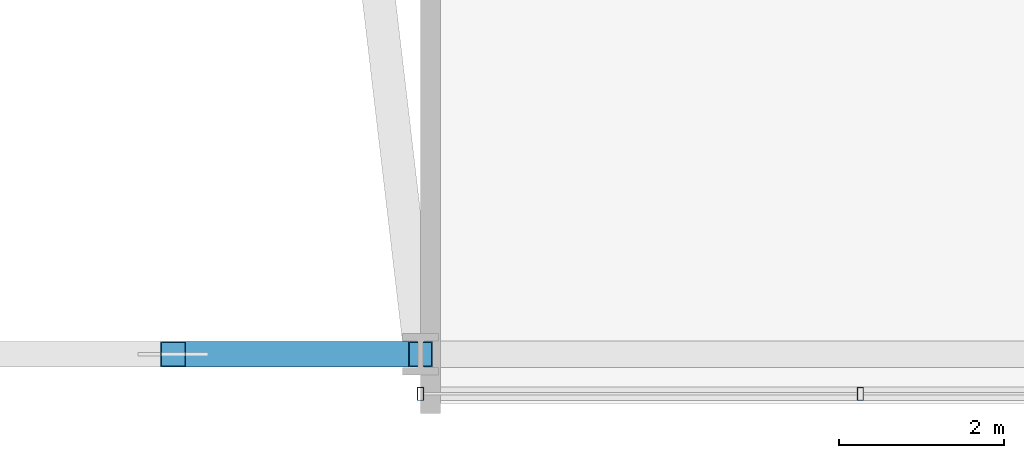
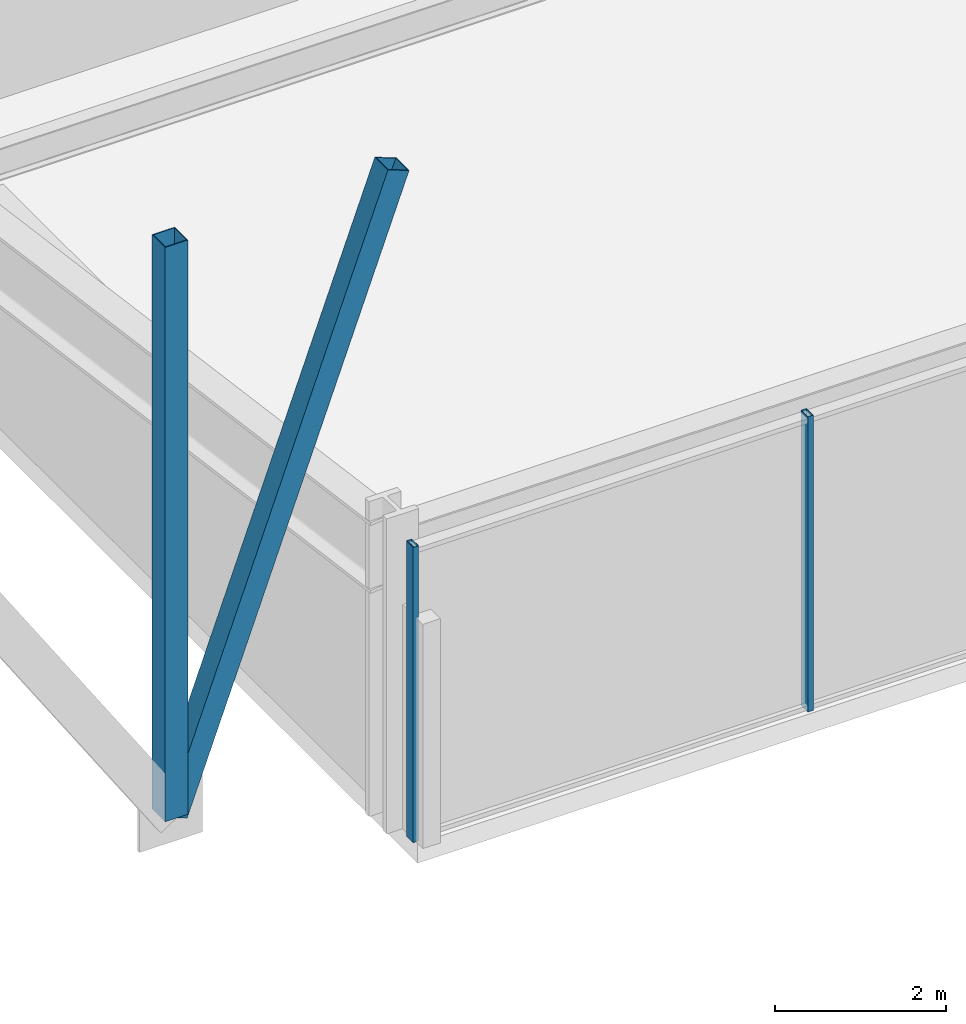
# One storey, part 14 of 47: 4 members, 1 element without a shape of its own.
"""IFC4 building model written with IfcOpenShell, lengths in metres."""

from ifc_helpers import new_model, si_unit, direction, frame, origin, origin_2d, place, context, subcontext, project, spatial, hollow_rectangle, extrude, material, material_profile, profile_set, type_object, element, aggregate, save


model = new_model("IFC4")

# Units and contexts
model_context = context("Model", 3, precision=1e-05, world=origin(), true_north=direction((0.0, 1.0)))
body_context = subcontext(model_context, "Body", "Model", "MODEL_VIEW")
ifc_project = project(units=[si_unit("LENGTHUNIT", "METRE"), si_unit("AREAUNIT", "SQUARE_METRE"), si_unit("VOLUMEUNIT", "CUBIC_METRE"), si_unit("PLANEANGLEUNIT", "RADIAN"), si_unit("MASSUNIT", "GRAM", prefix="KILO")], contexts=[model_context])

# Site, building, storey
site_placement = place(None, origin())
site = spatial("IfcSite", under=ifc_project, at=site_placement, CompositionType="ELEMENT")
building_placement = place(site_placement, origin())
building = spatial("IfcBuilding", under=site, at=building_placement, Name="Kolvaren Belvedere", CompositionType="ELEMENT")
storey_placement = place(building_placement, frame((0.0, 0.0, 5.5)))
storey = spatial("IfcBuildingStorey", under=building, at=storey_placement, Name="L02", CompositionType="ELEMENT", Elevation=5.5)

# Curtain wall, members
ifc_material_1 = material(Name="Anodised pale-metal aluminium AA 6063-T6", Category="aluminium")
curtain_wall_type = type_object("IfcCurtainWallType", Name="CW-POD-A", PredefinedType="NOTDEFINED", material=ifc_material_1)
curtain_wall_placement = place(storey_placement, origin())
curtain_wall = element("IfcCurtainWall", 1, at=curtain_wall_placement, inside=storey, type_object=curtain_wall_type, Name="L02 Unitised Curtain Wall FCW-L02-SEG5", PredefinedType="NOTDEFINED")
ifc_material_2 = material(Name="Anodised pale-metal aluminium AA 6063-T6", Category="aluminium")
ifc_material_profile_1 = material_profile(ifc_material_2, hollow_rectangle(XDim=0.074951171875, YDim=0.159912109375, WallThickness=0.00439453125, at=origin_2d()), Name="ALU-MUL-160X75")
ifc_profile_set_1 = profile_set([ifc_material_profile_1], Name="Anodised pale-metal aluminium AA 6063-T6")
member_type_1 = type_object("IfcMemberType", Name="CW-MUL-160", PredefinedType="MULLION", material=ifc_profile_set_1)
member_1_placement = place(storey_placement, frame((17.333251953125, -28.280029296875, 0.0), z_axis=(0.0, 0.0, 1.0), x_axis=(1.0, 0.0, 0.0)))
member_1 = element("IfcMember", 2, at=member_1_placement, type_object=member_type_1, Name="FCW-L02-SEG5 Unitised Mullion 3", PredefinedType="MULLION", context=body_context, shape_type="SweptSolid", body=[
    extrude(hollow_rectangle(XDim=0.074951171875, YDim=0.159912109375, WallThickness=0.00439453125, at=origin_2d()), origin(), (0.0, 0.0, 1.0), 4.219970703125),
])
member_2_placement = place(storey_placement, frame((12.0, -28.280029296875, 0.0), z_axis=(0.0, 0.0, 1.0), x_axis=(1.0, 0.0, 0.0)))
member_2 = element("IfcMember", 3, at=member_2_placement, type_object=member_type_1, Name="FCW-L02-SEG5 Unitised Mullion 4", PredefinedType="MULLION", context=body_context, shape_type="SweptSolid", body=[
    extrude(hollow_rectangle(XDim=0.074951171875, YDim=0.159912109375, WallThickness=0.00439453125, at=origin_2d()), origin(), (0.0, 0.0, 1.0), 4.219970703125),
])
aggregate(curtain_wall, [member_1, member_2])

# Members
ifc_material_3 = material(Name="Structural steel ASTM A500 Grade C", Category="steel")
ifc_material_profile_2 = material_profile(ifc_material_3, hollow_rectangle(XDim=0.304931640625, YDim=0.304931640625, WallThickness=0.01171875, at=origin_2d()), Name="HSS12X12X1/2")
ifc_profile_set_2 = profile_set([ifc_material_profile_2], Name="Structural steel ASTM A500 Grade C")
member_type_2 = type_object("IfcMemberType", Name="MB-ARCH-WEB", PredefinedType="BRACE", material=ifc_profile_set_2)
member_3_placement = place(storey_placement, frame((9.0, -27.800048828125, 1.143798828125), z_axis=(0.0, 0.0, 1.0), x_axis=(1.0, 0.0, 0.0)))
element("IfcMember", 4, at=member_3_placement, inside=storey, type_object=member_type_2, Name="Portal Arch Spandrel Web AW-7", PredefinedType="BRACE", context=body_context, shape_type="SweptSolid", body=[
    extrude(hollow_rectangle(XDim=0.304931640625, YDim=0.304931640625, WallThickness=0.01171875, at=origin_2d()), origin(), (0.0, 0.0, 1.0), 8.206298828125),
])
member_4_placement = place(storey_placement, frame((9.0, -27.800048828125, 1.143798828125), z_axis=(0.343348911787, 0.0, 0.939207924144), x_axis=(0.0, 1.0, 0.0)))
element("IfcMember", 5, at=member_4_placement, inside=storey, type_object=member_type_2, Name="Portal Arch Web Diagonal AD-7", PredefinedType="BRACE", context=body_context, shape_type="SweptSolid", body=[
    extrude(hollow_rectangle(XDim=0.304931640625, YDim=0.304931640625, WallThickness=0.01171875, at=origin_2d()), origin(), (0.0, 0.0, 1.0), 8.737548828125),
])

save(model, "model.ifc")
